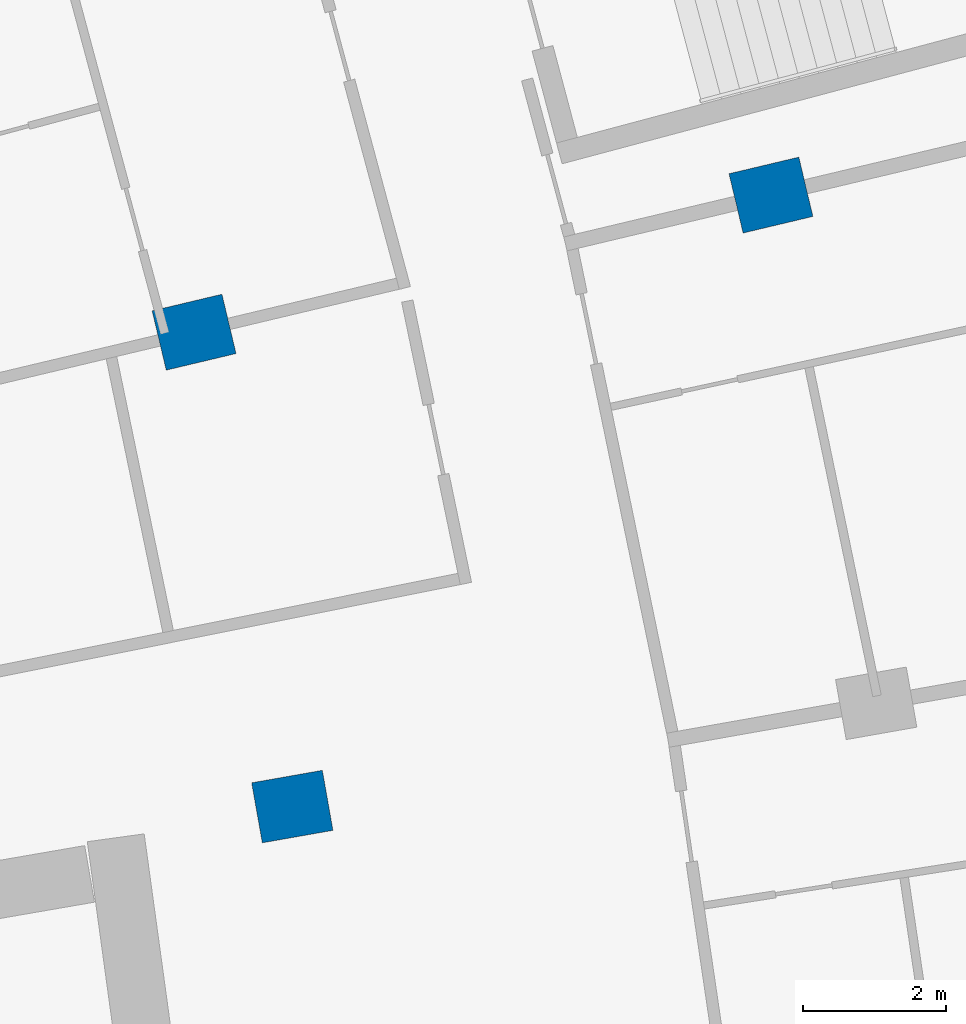
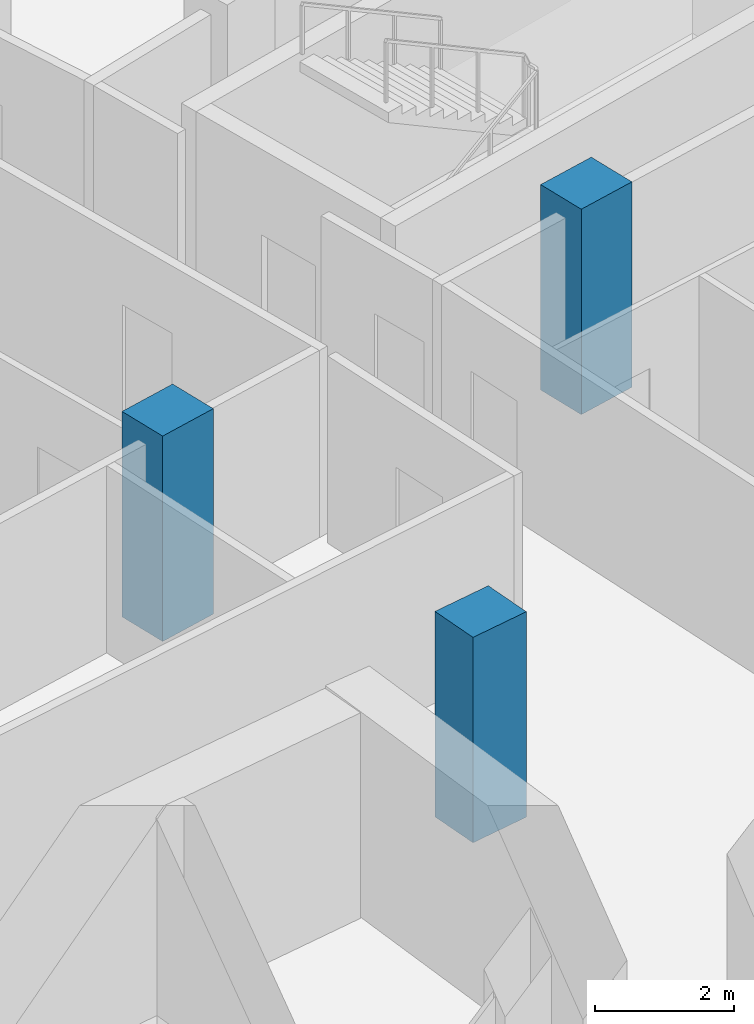
# One storey, part 8 of 25: 3 columns.
"""IFC4 building model written with IfcOpenShell, lengths in metres."""

import ifcopenshell
import ifcopenshell.guid

model = None  # the IFC model being written
_history = None  # IfcOwnerHistory: only IFC2X3 demands one
_inside = {}  # id of a spatial element -> (the spatial element, [elements in it])
_under = {}  # id of a project, library or spatial element -> (it, [spatial elements below it])
_declared = {}  # id of a project -> (the project, [libraries it declares])
_typed = {}  # id of a type object -> (the type object, [elements of that type])
_made_of = {}  # id of a material, layer set ... -> (it, [elements and type objects made of it])


def new_model(schema):
    """Start an empty IFC model of exactly this schema.

    Asked for "IFC4X3", IfcOpenShell would pick the latest addendum, in which some entities
    have other attributes; the version numbers below select the first issue.
    IFC2X3 requires an IfcOwnerHistory on every rooted entity: one is made here for all.
    """
    global model, _history
    if schema == "IFC4X3":
        model = ifcopenshell.file(schema_version=(4, 3, 0, 0))
    else:
        model = ifcopenshell.file(schema=schema)
    _inside.clear()
    _under.clear()
    _declared.clear()
    _typed.clear()
    _made_of.clear()
    _history = None
    if model.schema == "IFC2X3":
        org = make("IfcOrganization", Name="unknown")
        user = make(
            "IfcPersonAndOrganization",
            ThePerson=make("IfcPerson", FamilyName="unknown"),
            TheOrganization=org,
        )
        app = make(
            "IfcApplication",
            ApplicationDeveloper=org,
            Version="unknown",
            ApplicationFullName="unknown",
            ApplicationIdentifier="unknown",
        )
        _history = make(
            "IfcOwnerHistory",
            OwningUser=user,
            OwningApplication=app,
            ChangeAction="ADDED",
            CreationDate=0,
        )
    return model


def make(cls, **values):
    """One entity of the class cls with the attributes given. An attribute that is None is left unset."""
    return model.create_entity(
        cls, **{name: value for name, value in values.items() if value is not None}
    )


def rooted(cls, **values):
    """An entity with a GlobalId (a new one), such as an element, a storey or a relation."""
    return make(cls, GlobalId=ifcopenshell.guid.new(), OwnerHistory=_history, **values)


def si_unit(unit_type, name, prefix=None):
    """IfcSIUnit, for example si_unit("LENGTHUNIT", "METRE", prefix="MILLI")."""
    return make("IfcSIUnit", UnitType=unit_type, Prefix=prefix, Name=name)


def assignment(units):
    """IfcUnitAssignment: the units of a project."""
    return None if units is None else make("IfcUnitAssignment", Units=units)


def point(xyz):
    """IfcCartesianPoint."""
    return None if xyz is None else make("IfcCartesianPoint", Coordinates=xyz)


def direction(xyz):
    """IfcDirection."""
    return None if xyz is None else make("IfcDirection", DirectionRatios=xyz)


def frame(location, z_axis=None, x_axis=None):
    """IfcAxis2Placement3D, a coordinate frame: its origin and axes. An axis left out is left unset."""
    return make(
        "IfcAxis2Placement3D",
        Location=point(location),
        Axis=direction(z_axis),
        RefDirection=direction(x_axis),
    )


def frame_2d(location, x_axis=None):
    """IfcAxis2Placement2D, a coordinate frame in the plane: its origin and x axis."""
    return make(
        "IfcAxis2Placement2D", Location=point(location), RefDirection=direction(x_axis)
    )


def origin():
    """The frame at (0, 0, 0) with its axes left unset."""
    return frame((0.0, 0.0, 0.0))


def origin_2d():
    """The frame at (0, 0) in the plane with its x axis left unset."""
    return frame_2d((0.0, 0.0))


def place(relative_to, where):
    """IfcLocalPlacement: puts the frame where relative to a parent placement (None: the world)."""
    return make(
        "IfcLocalPlacement", PlacementRelTo=relative_to, RelativePlacement=where
    )


def context(
    kind, dimensions, precision=None, world=None, true_north=None, identifier=None
):
    """IfcGeometricRepresentationContext, for example the 3D "Model" context."""
    return make(
        "IfcGeometricRepresentationContext",
        ContextIdentifier=identifier,
        ContextType=kind,
        CoordinateSpaceDimension=dimensions,
        Precision=precision,
        WorldCoordinateSystem=world,
        TrueNorth=true_north,
    )


def subcontext(parent, identifier, kind, view, scale=None):
    """IfcGeometricRepresentationSubContext, for example "Body" below "Model"."""
    return make(
        "IfcGeometricRepresentationSubContext",
        ContextIdentifier=identifier,
        ContextType=kind,
        ParentContext=parent,
        TargetScale=scale,
        TargetView=view,
    )


def project(units=None, contexts=None):
    """IfcProject with its units and contexts."""
    return rooted(
        "IfcProject",
        Name="project",
        RepresentationContexts=contexts,
        UnitsInContext=assignment(units),
    )


def spatial(cls, under=None, at=None, **own):
    """A site, building, storey or space (cls), placed at a placement, below another one or the project."""
    s = rooted(cls, ObjectPlacement=at, **own)
    if under is not None:
        _under.setdefault(under.id(), (under, []))[1].append(s)
    return s


def profile(cls, at=None, kind="AREA", **sizes):
    """A parametric profile (cls). Its sizes go by their IFC names, for example OverallWidth=200.0."""
    return make(cls, ProfileType=kind, Position=at, **sizes)


def rectangle(**sizes):
    """IfcRectangleProfileDef."""
    return profile("IfcRectangleProfileDef", **sizes)


def extrude(swept, where, along, depth):
    """IfcExtrudedAreaSolid: the profile swept, set in the frame where, extruded along a direction by depth."""
    return make(
        "IfcExtrudedAreaSolid",
        SweptArea=swept,
        Position=where,
        ExtrudedDirection=direction(along),
        Depth=depth,
    )


def shape(context_of_items, identifier, shape_type, items):
    """IfcShapeRepresentation: the items that make up one representation, for example the "Body"."""
    return make(
        "IfcShapeRepresentation",
        ContextOfItems=context_of_items,
        RepresentationIdentifier=identifier,
        RepresentationType=shape_type,
        Items=items,
    )


def material(Name=None, Category=None):
    """IfcMaterial."""
    return make("IfcMaterial", Name=Name, Category=Category)


def material_profile(
    of_material, cross_section, Name=None, Category=None, Priority=None
):
    """IfcMaterialProfile: a cross section and its material."""
    return make(
        "IfcMaterialProfile",
        Name=Name,
        Material=of_material,
        Profile=cross_section,
        Priority=Priority,
        Category=Category,
    )


def profile_set(profiles, Name=None, composite=None):
    """IfcMaterialProfileSet."""
    return make(
        "IfcMaterialProfileSet",
        Name=Name,
        MaterialProfiles=profiles,
        CompositeProfile=composite,
    )


def made_of(thing, what):
    """Note that an element or type object is made of a material, layer set ...; save() writes the relation."""
    if what is not None:
        _made_of.setdefault(what.id(), (what, []))[1].append(thing)
    return thing


def type_object(cls, material=None, **own):
    """A type object (cls), such as IfcWallType, which elements share."""
    return made_of(rooted(cls, **own), material)


def element(
    cls,
    number,
    at=None,
    inside=None,
    cuts=None,
    type_object=None,
    material=None,
    context=None,
    identifier="Body",
    shape_type=None,
    held_by="IfcProductDefinitionShape",
    body=None,
    shapes=None,
    **own,
):
    """One element of the class cls, such as IfcWall. Its Tag is "e" and its number.

    at: its placement. inside: the storey or other place that contains it. cuts: it is an
    opening in that element (IfcRelVoidsElement). A single representation is given by context,
    identifier, shape_type and body (its items); several are given by shapes. held_by: the class
    of the entity that holds the representations. save() writes the other relations.
    """
    e = rooted(cls, Tag="e%d" % number, ObjectPlacement=at, **own)
    if body is not None:
        shapes = [shape(context, identifier, shape_type, body)]
    if shapes is not None:
        e.Representation = make(held_by, Representations=shapes)
    if inside is not None:
        _inside.setdefault(inside.id(), (inside, []))[1].append(e)
    if cuts is not None:
        rooted(
            "IfcRelVoidsElement", RelatingBuildingElement=cuts, RelatedOpeningElement=e
        )
    if type_object is not None:
        _typed.setdefault(type_object.id(), (type_object, []))[1].append(e)
    return made_of(e, material)


def aggregate(whole, parts):
    """IfcRelAggregates: a whole, such as a stair, and the parts it consists of."""
    return rooted("IfcRelAggregates", RelatingObject=whole, RelatedObjects=parts)


def save(model, path):
    """Write the relations noted so far, then the file.

    IfcRelAggregates (storeys below a building ...), IfcRelContainedInSpatialStructure (elements
    in a storey), IfcRelDefinesByType, IfcRelAssociatesMaterial and IfcRelDeclares: one each for
    every whole, place, type object, material and project.
    """
    for whole, parts in _under.values():
        aggregate(whole, parts)
    for where, things in _inside.values():
        rooted(
            "IfcRelContainedInSpatialStructure",
            RelatedElements=things,
            RelatingStructure=where,
        )
    for kind, things in _typed.values():
        rooted("IfcRelDefinesByType", RelatedObjects=things, RelatingType=kind)
    for what, things in _made_of.values():
        rooted("IfcRelAssociatesMaterial", RelatedObjects=things, RelatingMaterial=what)
    for by, libraries in _declared.values():
        rooted("IfcRelDeclares", RelatingContext=by, RelatedDefinitions=libraries)
    model.write(path)


model = new_model("IFC4")

# Units and contexts
model_context = context("Model", 3, precision=1e-05, world=origin(), true_north=direction((0.0, 1.0)))
body_context = subcontext(model_context, "Body", "Model", "MODEL_VIEW")
ifc_project = project(units=[si_unit("LENGTHUNIT", "METRE"), si_unit("AREAUNIT", "SQUARE_METRE"), si_unit("VOLUMEUNIT", "CUBIC_METRE"), si_unit("PLANEANGLEUNIT", "RADIAN"), si_unit("MASSUNIT", "GRAM", prefix="KILO")], contexts=[model_context])

# Site, building, storey
site_placement = place(None, origin())
site = spatial("IfcSite", under=ifc_project, at=site_placement, CompositionType="ELEMENT")
building_placement = place(site_placement, origin())
building = spatial("IfcBuilding", under=site, at=building_placement, Name="Alderwake Tower", CompositionType="ELEMENT")
storey_placement = place(building_placement, frame((0.0, 0.0, 118.39990234375)))
storey = spatial("IfcBuildingStorey", under=building, at=storey_placement, Name="L29", CompositionType="ELEMENT", Elevation=118.39990234375)

# Columns
ifc_material = material(Name="Concrete C70/85", Category="concrete")
ifc_material_profile = material_profile(ifc_material, rectangle(XDim=0.85009765625, YDim=1.0, at=origin_2d()), Name="RC 1000X850")
ifc_profile_set = profile_set([ifc_material_profile], Name="Concrete C70/85")
column_type = type_object("IfcColumnType", Name="Interior column Z2", PredefinedType="COLUMN", material=ifc_profile_set)
for number, where, z_axis, x_axis, name in (
    (1, (34.03125, 81.16162109375, 0.0), (0.0, 0.0, 1.0), (-0.174108800747, 0.984726421654, 0.0), "Column R10-C2"),
    (2, (32.661865234375, 87.775390625, 0.0), (0.0, 0.0, 1.0), (-0.231221547198, 0.972901123502, 0.0), "Column R11-C2"),
    (3, (40.70458984375, 89.68701171875, 0.0), (0.0, 0.0, 1.0), (-0.231221547198, 0.972901123502, 0.0), "Column R11-C3"),
):
    element("IfcColumn", number, at=place(storey_placement, frame(where, z_axis=z_axis, x_axis=x_axis)), inside=storey, type_object=column_type, Name=name, PredefinedType="COLUMN", context=body_context, shape_type="SweptSolid", body=[
        extrude(rectangle(XDim=0.85009765625, YDim=1.0, at=origin_2d()), origin(), (0.0, 0.0, 1.0), 3.60009765625),
    ])

save(model, "model.ifc")
